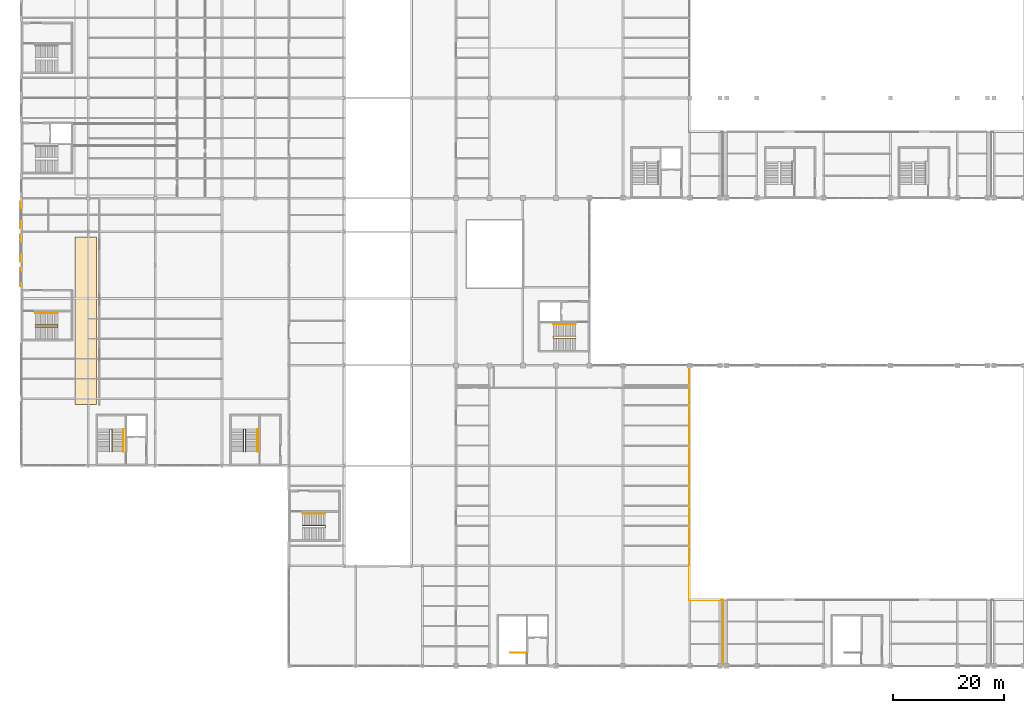
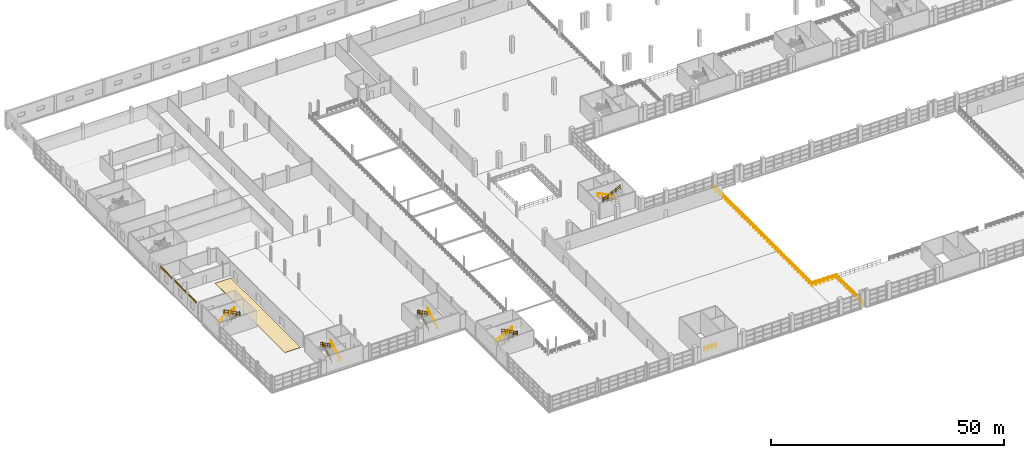
# One storey, part 153 of 158: 12 railings, 4 coverings.
"""IFC4 building model written with IfcOpenShell, lengths in metres."""

from ifc_helpers import new_model, si_unit, direction, frame, origin, origin_2d, place, context, subcontext, project, spatial, polyline, rectangle, circle, outline, extrude, material, layer, layer_set, type_object, element, save


model = new_model("IFC4")

# Units and contexts
model_context = context("Model", 3, precision=1e-05, world=origin(), true_north=direction((0.0, 1.0)))
body_context = subcontext(model_context, "Body", "Model", "MODEL_VIEW")
ifc_project = project(units=[si_unit("LENGTHUNIT", "METRE"), si_unit("AREAUNIT", "SQUARE_METRE"), si_unit("VOLUMEUNIT", "CUBIC_METRE"), si_unit("PLANEANGLEUNIT", "RADIAN"), si_unit("MASSUNIT", "GRAM", prefix="KILO")], contexts=[model_context])

# Site, building, storey
site_placement = place(None, origin())
site = spatial("IfcSite", under=ifc_project, at=site_placement, CompositionType="ELEMENT")
building_placement = place(site_placement, origin())
building = spatial("IfcBuilding", under=site, at=building_placement, Name="Zilviju Railside Exhibition Hall", CompositionType="ELEMENT")
storey_placement = place(building_placement, frame((0.0, 0.0, 4.199951171875)))
storey = spatial("IfcBuildingStorey", under=building, at=storey_placement, Name="L02", CompositionType="ELEMENT", Elevation=4.199951171875)

# Coverings
ifc_material_1 = material(Name="Cobalt-blue and emerald glazed Jugendstils majolica frieze cladding", Category="masonry")
ifc_layer_1 = layer(ifc_material_1, 0.034912109375)
ifc_layer_set_1 = layer_set([ifc_layer_1], Name="Cobalt-blue and emerald glazed Jugendstils majolica frieze cladding")
covering_type_1 = type_object("IfcCoveringType", Name="COV-CLAD-MAJOLICA", PredefinedType="CLADDING", material=ifc_layer_set_1)
covering_1_placement = place(storey_placement, frame((-0.202392578125, 69.800048828125, 3.52490234375), z_axis=(0.0, 0.0, 1.0), x_axis=(0.0, 1.0, 0.0)))
element("IfcCovering", 1, at=covering_1_placement, inside=storey, type_object=covering_type_1, Name="Jugendstils Facade Cladding Band L02 026", PredefinedType="CLADDING", context=body_context, shape_type="SweptSolid", body=[
    extrude(rectangle(XDim=3.199951171875, YDim=0.034912109375, at=origin_2d()), origin(), (0.0, 0.0, 1.0), 0.550048828125),
])
for number, where, z_axis, x_axis, name in (
    (2, (-0.202392578125, 75.0, 3.52490234375), (0.0, 0.0, 1.0), (0.0, 1.0, 0.0), "Jugendstils Facade Cladding Band L02 027"),
    (3, (-0.202392578125, 81.0, 3.52490234375), (0.0, 0.0, 1.0), (0.0, 1.0, 0.0), "Jugendstils Facade Cladding Band L02 028"),
):
    element("IfcCovering", number, at=place(storey_placement, frame(where, z_axis=z_axis, x_axis=x_axis)), inside=storey, type_object=covering_type_1, Name=name, PredefinedType="CLADDING", context=body_context, shape_type="SweptSolid", body=[
        extrude(rectangle(XDim=4.800048828125, YDim=0.034912109375, at=origin_2d()), origin(), (0.0, 0.0, 1.0), 0.550048828125),
    ])
ifc_material_2 = material(Name="Polished Baltic terrazzo concourse flooring", Category="masonry")
ifc_layer_2 = layer(ifc_material_2, 0.02490234375)
ifc_layer_set_2 = layer_set([ifc_layer_2], Name="Polished Baltic terrazzo concourse flooring")
covering_type_2 = type_object("IfcCoveringType", Name="COV-FLR-TERRAZZO", PredefinedType="FLOORING", material=ifc_layer_set_2)
covering_2_placement = place(storey_placement, origin())
element("IfcCovering", 4, at=covering_2_placement, inside=storey, type_object=covering_type_2, Name="Congress Crush Foyer Terrazzo Flooring", PredefinedType="FLOORING", context=body_context, shape_type="SweptSolid", body=[
    extrude(outline(polyline([(9.60009765625, 47.0), (13.5, 47.0), (13.5, 77.0), (9.60009765625, 77.0), (9.60009765625, 47.0)])), origin(), (0.0, 0.0, 1.0), 0.025146484375),
])

# Railings
ifc_material_3 = material(Name="Brushed bronze tubular stair handrail", Category="steel")
railing_type_1 = type_object("IfcRailingType", Name="RL-HANDRAIL-920", PredefinedType="HANDRAIL", material=ifc_material_3)
railing_1_placement = place(storey_placement, frame((99.5, 61.360107421875, 0.0)))
element("IfcRailing", 5, at=railing_1_placement, inside=storey, type_object=railing_type_1, Name="Core C10 Winter Concourse Court Stair Wall Handrail L02", PredefinedType="HANDRAIL", context=body_context, shape_type="SweptSolid", body=[
    extrude(circle(Radius=0.02392578125, at=origin_2d()), frame((-0.019287109375, 0.0, 0.906005859375), z_axis=(-0.88681272381, 0.0, 0.462128978628), x_axis=(0.0, -1.0, 0.0)), (0.0, 0.0, 1.0), 4.500732421875),
    extrude(circle(Radius=0.02099609375, at=origin_2d()), origin(), (0.0, 0.0, 1.0), 0.919921875),
    extrude(circle(Radius=0.02099609375, at=origin_2d()), frame((-1.007568359375, 0.0, 0.52490234375)), (0.0, 0.0, 1.0), 0.919921875),
    extrude(circle(Radius=0.02099609375, at=origin_2d()), frame((-2.01513671875, 0.0, 1.050048828125)), (0.0, 0.0, 1.0), 0.919921875),
    extrude(circle(Radius=0.02099609375, at=origin_2d()), frame((-3.0224609375, 0.0, 1.5751953125)), (0.0, 0.0, 1.0), 0.919921875),
    extrude(circle(Radius=0.02099609375, at=origin_2d()), frame((-4.030029296875, 0.0, 2.10009765625)), (0.0, 0.0, 1.0), 0.919921875),
])
railing_2_placement = place(storey_placement, frame((50.5, 27.35009765625, 0.0)))
element("IfcRailing", 6, at=railing_2_placement, inside=storey, type_object=railing_type_1, Name="Core C11 Winter Concourse Forecourt Stair Wall Handrail L02", PredefinedType="HANDRAIL", context=body_context, shape_type="SweptSolid", body=[
    extrude(circle(Radius=0.02392578125, at=origin_2d()), frame((0.019287109375, 0.0, 0.906005859375), z_axis=(0.88681272381, 0.0, 0.462128978628), x_axis=(0.0, 1.0, 0.0)), (0.0, 0.0, 1.0), 4.500732421875),
    extrude(circle(Radius=0.02099609375, at=origin_2d()), origin(), (0.0, 0.0, 1.0), 0.919921875),
    extrude(circle(Radius=0.02099609375, at=origin_2d()), frame((1.007568359375, 0.0, 0.52490234375)), (0.0, 0.0, 1.0), 0.919921875),
    extrude(circle(Radius=0.02099609375, at=origin_2d()), frame((2.01513671875, 0.0, 1.050048828125)), (0.0, 0.0, 1.0), 0.919921875),
    extrude(circle(Radius=0.02099609375, at=origin_2d()), frame((3.0224609375, 0.0, 1.5751953125)), (0.0, 0.0, 1.0), 0.919921875),
    extrude(circle(Radius=0.02099609375, at=origin_2d()), frame((4.030029296875, 0.0, 2.10009765625)), (0.0, 0.0, 1.0), 0.919921875),
])
for number, where, name in (
    (7, (18.340087890625, 38.5, 0.0), "Core C12 Congress Plenary SouthW Stair Wall Handrail L02"),
    (8, (42.360107421875, 38.5, 0.0), "Core C13 Congress Plenary SouthE Stair Wall Handrail L02"),
):
    element("IfcRailing", number, at=place(storey_placement, frame(where)), inside=storey, type_object=railing_type_1, Name=name, PredefinedType="HANDRAIL", context=body_context, shape_type="SweptSolid", body=[
        extrude(circle(Radius=0.02392578125, at=origin_2d()), frame((0.0, 0.019287109375, 0.906005859375), z_axis=(0.0, 0.88681272381, 0.462128978628), x_axis=(-1.0, 0.0, 0.0)), (0.0, 0.0, 1.0), 4.500732421875),
        extrude(circle(Radius=0.02099609375, at=origin_2d()), origin(), (0.0, 0.0, 1.0), 0.919921875),
        extrude(circle(Radius=0.02099609375, at=origin_2d()), frame((0.0, 1.007568359375, 0.52490234375)), (0.0, 0.0, 1.0), 0.919921875),
        extrude(circle(Radius=0.02099609375, at=origin_2d()), frame((0.0, 2.01513671875, 1.050048828125)), (0.0, 0.0, 1.0), 0.919921875),
        extrude(circle(Radius=0.02099609375, at=origin_2d()), frame((0.0, 3.0224609375, 1.5751953125)), (0.0, 0.0, 1.0), 0.919921875),
        extrude(circle(Radius=0.02099609375, at=origin_2d()), frame((0.0, 4.030029296875, 2.10009765625)), (0.0, 0.0, 1.0), 0.919921875),
    ])
railing_3_placement = place(storey_placement, frame((2.5, 63.35009765625, 0.0)))
element("IfcRailing", 9, at=railing_3_placement, inside=storey, type_object=railing_type_1, Name="Core C14 Congress Plenary West Stair Wall Handrail L02", PredefinedType="HANDRAIL", context=body_context, shape_type="SweptSolid", body=[
    extrude(circle(Radius=0.02392578125, at=origin_2d()), frame((0.019287109375, 0.0, 0.906005859375), z_axis=(0.88681272381, 0.0, 0.462128978628), x_axis=(0.0, 1.0, 0.0)), (0.0, 0.0, 1.0), 4.500732421875),
    extrude(circle(Radius=0.02099609375, at=origin_2d()), origin(), (0.0, 0.0, 1.0), 0.919921875),
    extrude(circle(Radius=0.02099609375, at=origin_2d()), frame((1.007568359375, 0.0, 0.52490234375)), (0.0, 0.0, 1.0), 0.919921875),
    extrude(circle(Radius=0.02099609375, at=origin_2d()), frame((2.01513671875, 0.0, 1.050048828125)), (0.0, 0.0, 1.0), 0.919921875),
    extrude(circle(Radius=0.02099609375, at=origin_2d()), frame((3.0224609375, 0.0, 1.5751953125)), (0.0, 0.0, 1.0), 0.919921875),
    extrude(circle(Radius=0.02099609375, at=origin_2d()), frame((4.030029296875, 0.0, 2.10009765625)), (0.0, 0.0, 1.0), 0.919921875),
])
ifc_material_4 = material(Name="Wrought-iron and laminated-glass atrium guardrail", Category="glass")
railing_type_2 = type_object("IfcRailingType", Name="RL-INT-GUARD-1120", PredefinedType="GUARDRAIL", material=ifc_material_4)
railing_4_placement = place(storey_placement, frame((87.800048828125, 2.419921875, 0.0)))
element("IfcRailing", 10, at=railing_4_placement, inside=storey, type_object=railing_type_2, Name="Core C01 South Hall West Top-Landing Well Guardrail L02", PredefinedType="GUARDRAIL", context=body_context, shape_type="SweptSolid", body=[
    extrude(circle(Radius=0.02392578125, at=origin_2d()), frame((0.021728515625, 0.0, 1.09619140625), z_axis=(1.0, 0.0, 0.0), x_axis=(0.0, 1.0, 0.0)), (0.0, 0.0, 1.0), 2.80615234375),
    extrude(circle(Radius=0.02392578125, at=origin_2d()), frame((0.021728515625, 0.0, 0.56005859375), z_axis=(1.0, 0.0, 0.0), x_axis=(0.0, 1.0, 0.0)), (0.0, 0.0, 1.0), 2.80615234375),
    extrude(circle(Radius=0.02099609375, at=origin_2d()), origin(), (0.0, 0.0, 1.0), 1.1201171875),
    extrude(circle(Radius=0.02099609375, at=origin_2d()), frame((0.949951171875, 0.0, 0.0)), (0.0, 0.0, 1.0), 1.1201171875),
    extrude(circle(Radius=0.02099609375, at=origin_2d()), frame((1.89990234375, 0.0, 0.0)), (0.0, 0.0, 1.0), 1.1201171875),
    extrude(circle(Radius=0.02099609375, at=origin_2d()), frame((2.849853515625, 0.0, 0.0)), (0.0, 0.0, 1.0), 1.1201171875),
])
railing_5_placement = place(storey_placement, frame((99.5, 59.22998046875, 0.0)))
element("IfcRailing", 11, at=railing_5_placement, inside=storey, type_object=railing_type_2, Name="Core C10 Winter Concourse Court Stair Well Guardrail L02", PredefinedType="GUARDRAIL", context=body_context, shape_type="SweptSolid", body=[
    extrude(circle(Radius=0.02392578125, at=origin_2d()), frame((-0.019287109375, 0.0, 1.106201171875), z_axis=(-0.88681272381, 0.0, 0.462128978628), x_axis=(0.0, -1.0, 0.0)), (0.0, 0.0, 1.0), 4.500732421875),
    extrude(circle(Radius=0.02392578125, at=origin_2d()), frame((-0.019287109375, 0.0, 0.570068359375), z_axis=(-0.88681272381, 0.0, 0.462128978628), x_axis=(0.0, -1.0, 0.0)), (0.0, 0.0, 1.0), 4.500732421875),
    extrude(circle(Radius=0.02392578125, at=origin_2d()), frame((-4.030029296875, -0.021728515625, 3.1962890625), z_axis=(0.0, -1.0, 0.0), x_axis=(1.0, 0.0, 0.0)), (0.0, 0.0, 1.0), 0.316162109375),
    extrude(circle(Radius=0.02392578125, at=origin_2d()), frame((-4.030029296875, -0.021728515625, 2.66015625), z_axis=(0.0, -1.0, 0.0), x_axis=(1.0, 0.0, 0.0)), (0.0, 0.0, 1.0), 0.316162109375),
    extrude(circle(Radius=0.02392578125, at=origin_2d()), frame((-4.0107421875, -0.35986328125, 3.206298828125), z_axis=(0.886834740388, 0.0, 0.462086726969), x_axis=(0.0, 1.0, 0.0)), (0.0, 0.0, 1.0), 4.500732421875),
    extrude(circle(Radius=0.02392578125, at=origin_2d()), frame((-4.0107421875, -0.35986328125, 2.670166015625), z_axis=(0.886834740388, 0.0, 0.462086726969), x_axis=(0.0, 1.0, 0.0)), (0.0, 0.0, 1.0), 4.500732421875),
    extrude(circle(Radius=0.02099609375, at=origin_2d()), origin(), (0.0, 0.0, 1.0), 1.1201171875),
    extrude(circle(Radius=0.02099609375, at=origin_2d()), frame((-1.007568359375, 0.0, 0.52490234375)), (0.0, 0.0, 1.0), 1.1201171875),
    extrude(circle(Radius=0.02099609375, at=origin_2d()), frame((-2.01513671875, 0.0, 1.050048828125)), (0.0, 0.0, 1.0), 1.1201171875),
    extrude(circle(Radius=0.02099609375, at=origin_2d()), frame((-3.0224609375, 0.0, 1.5751953125)), (0.0, 0.0, 1.0), 1.1201171875),
    extrude(circle(Radius=0.02099609375, at=origin_2d()), frame((-4.030029296875, 0.0, 2.10009765625)), (0.0, 0.0, 1.0), 1.1201171875),
    extrude(circle(Radius=0.02099609375, at=origin_2d()), frame((-4.030029296875, -0.35986328125, 2.10009765625)), (0.0, 0.0, 1.0), 1.1201171875),
    extrude(circle(Radius=0.02099609375, at=origin_2d()), frame((-3.0224609375, -0.35986328125, 2.625)), (0.0, 0.0, 1.0), 1.1201171875),
    extrude(circle(Radius=0.02099609375, at=origin_2d()), frame((-2.01513671875, -0.35986328125, 3.14990234375)), (0.0, 0.0, 1.0), 1.1201171875),
    extrude(circle(Radius=0.02099609375, at=origin_2d()), frame((-1.007568359375, -0.35986328125, 3.675048828125)), (0.0, 0.0, 1.0), 1.1201171875),
    extrude(circle(Radius=0.02099609375, at=origin_2d()), frame((0.0, -0.35986328125, 4.199951171875)), (0.0, 0.0, 1.0), 1.1201171875),
])
railing_6_placement = place(storey_placement, frame((50.5, 25.239990234375, 0.0)))
element("IfcRailing", 12, at=railing_6_placement, inside=storey, type_object=railing_type_2, Name="Core C11 Winter Concourse Forecourt Stair Well Guardrail L02", PredefinedType="GUARDRAIL", context=body_context, shape_type="SweptSolid", body=[
    extrude(circle(Radius=0.02392578125, at=origin_2d()), frame((0.019287109375, 0.0, 1.106201171875), z_axis=(0.88681272381, 0.0, 0.462128978628), x_axis=(0.0, 1.0, 0.0)), (0.0, 0.0, 1.0), 4.500732421875),
    extrude(circle(Radius=0.02392578125, at=origin_2d()), frame((0.019287109375, 0.0, 0.570068359375), z_axis=(0.88681272381, 0.0, 0.462128978628), x_axis=(0.0, 1.0, 0.0)), (0.0, 0.0, 1.0), 4.500732421875),
    extrude(circle(Radius=0.02392578125, at=origin_2d()), frame((4.030029296875, -0.021728515625, 3.1962890625), z_axis=(0.0, -1.0, 0.0), x_axis=(1.0, 0.0, 0.0)), (0.0, 0.0, 1.0), 0.336181640625),
    extrude(circle(Radius=0.02392578125, at=origin_2d()), frame((4.030029296875, -0.021728515625, 2.66015625), z_axis=(0.0, -1.0, 0.0), x_axis=(1.0, 0.0, 0.0)), (0.0, 0.0, 1.0), 0.336181640625),
    extrude(circle(Radius=0.02392578125, at=origin_2d()), frame((4.0107421875, -0.3798828125, 3.206298828125), z_axis=(-0.886834740388, 0.0, 0.462086726969), x_axis=(0.0, -1.0, 0.0)), (0.0, 0.0, 1.0), 4.500732421875),
    extrude(circle(Radius=0.02392578125, at=origin_2d()), frame((4.0107421875, -0.3798828125, 2.670166015625), z_axis=(-0.886834740388, 0.0, 0.462086726969), x_axis=(0.0, -1.0, 0.0)), (0.0, 0.0, 1.0), 4.500732421875),
    extrude(circle(Radius=0.02099609375, at=origin_2d()), origin(), (0.0, 0.0, 1.0), 1.1201171875),
    extrude(circle(Radius=0.02099609375, at=origin_2d()), frame((1.007568359375, 0.0, 0.52490234375)), (0.0, 0.0, 1.0), 1.1201171875),
    extrude(circle(Radius=0.02099609375, at=origin_2d()), frame((2.01513671875, 0.0, 1.050048828125)), (0.0, 0.0, 1.0), 1.1201171875),
    extrude(circle(Radius=0.02099609375, at=origin_2d()), frame((3.0224609375, 0.0, 1.5751953125)), (0.0, 0.0, 1.0), 1.1201171875),
    extrude(circle(Radius=0.02099609375, at=origin_2d()), frame((4.030029296875, 0.0, 2.10009765625)), (0.0, 0.0, 1.0), 1.1201171875),
    extrude(circle(Radius=0.02099609375, at=origin_2d()), frame((4.030029296875, -0.3798828125, 2.10009765625)), (0.0, 0.0, 1.0), 1.1201171875),
    extrude(circle(Radius=0.02099609375, at=origin_2d()), frame((3.0224609375, -0.3798828125, 2.625)), (0.0, 0.0, 1.0), 1.1201171875),
    extrude(circle(Radius=0.02099609375, at=origin_2d()), frame((2.01513671875, -0.3798828125, 3.14990234375)), (0.0, 0.0, 1.0), 1.1201171875),
    extrude(circle(Radius=0.02099609375, at=origin_2d()), frame((1.007568359375, -0.3798828125, 3.675048828125)), (0.0, 0.0, 1.0), 1.1201171875),
    extrude(circle(Radius=0.02099609375, at=origin_2d()), frame((0.0, -0.3798828125, 4.199951171875)), (0.0, 0.0, 1.0), 1.1201171875),
])
railing_7_placement = place(storey_placement, frame((16.25, 38.5, 0.0)))
element("IfcRailing", 13, at=railing_7_placement, inside=storey, type_object=railing_type_2, Name="Core C12 Congress Plenary SouthW Stair Well Guardrail L02", PredefinedType="GUARDRAIL", context=body_context, shape_type="SweptSolid", body=[
    extrude(circle(Radius=0.02392578125, at=origin_2d()), frame((0.0, 0.019287109375, 1.106201171875), z_axis=(0.0, 0.88681272381, 0.462128978628), x_axis=(-1.0, 0.0, 0.0)), (0.0, 0.0, 1.0), 4.500732421875),
    extrude(circle(Radius=0.02392578125, at=origin_2d()), frame((0.0, 0.019287109375, 0.570068359375), z_axis=(0.0, 0.88681272381, 0.462128978628), x_axis=(-1.0, 0.0, 0.0)), (0.0, 0.0, 1.0), 4.500732421875),
    extrude(circle(Radius=0.02392578125, at=origin_2d()), frame((-0.021728515625, 4.030029296875, 3.1962890625), z_axis=(-1.0, 0.0, 0.0), x_axis=(0.0, -1.0, 0.0)), (0.0, 0.0, 1.0), 0.356201171875),
    extrude(circle(Radius=0.02392578125, at=origin_2d()), frame((-0.021728515625, 4.030029296875, 2.66015625), z_axis=(-1.0, 0.0, 0.0), x_axis=(0.0, -1.0, 0.0)), (0.0, 0.0, 1.0), 0.356201171875),
    extrude(circle(Radius=0.02392578125, at=origin_2d()), frame((-0.39990234375, 4.0107421875, 3.206298828125), z_axis=(0.0, -0.886834740388, 0.462086726969), x_axis=(1.0, 0.0, 0.0)), (0.0, 0.0, 1.0), 4.500732421875),
    extrude(circle(Radius=0.02392578125, at=origin_2d()), frame((-0.39990234375, 4.0107421875, 2.670166015625), z_axis=(0.0, -0.886834740388, 0.462086726969), x_axis=(1.0, 0.0, 0.0)), (0.0, 0.0, 1.0), 4.500732421875),
    extrude(circle(Radius=0.02099609375, at=origin_2d()), origin(), (0.0, 0.0, 1.0), 1.1201171875),
    extrude(circle(Radius=0.02099609375, at=origin_2d()), frame((0.0, 1.007568359375, 0.52490234375)), (0.0, 0.0, 1.0), 1.1201171875),
    extrude(circle(Radius=0.02099609375, at=origin_2d()), frame((0.0, 2.01513671875, 1.050048828125)), (0.0, 0.0, 1.0), 1.1201171875),
    extrude(circle(Radius=0.02099609375, at=origin_2d()), frame((0.0, 3.0224609375, 1.5751953125)), (0.0, 0.0, 1.0), 1.1201171875),
    extrude(circle(Radius=0.02099609375, at=origin_2d()), frame((0.0, 4.030029296875, 2.10009765625)), (0.0, 0.0, 1.0), 1.1201171875),
    extrude(circle(Radius=0.02099609375, at=origin_2d()), frame((-0.39990234375, 4.030029296875, 2.10009765625)), (0.0, 0.0, 1.0), 1.1201171875),
    extrude(circle(Radius=0.02099609375, at=origin_2d()), frame((-0.39990234375, 3.0224609375, 2.625)), (0.0, 0.0, 1.0), 1.1201171875),
    extrude(circle(Radius=0.02099609375, at=origin_2d()), frame((-0.39990234375, 2.01513671875, 3.14990234375)), (0.0, 0.0, 1.0), 1.1201171875),
    extrude(circle(Radius=0.02099609375, at=origin_2d()), frame((-0.39990234375, 1.007568359375, 3.675048828125)), (0.0, 0.0, 1.0), 1.1201171875),
    extrude(circle(Radius=0.02099609375, at=origin_2d()), frame((-0.39990234375, 0.0, 4.199951171875)), (0.0, 0.0, 1.0), 1.1201171875),
])
railing_8_placement = place(storey_placement, frame((40.22998046875, 38.5, 0.0)))
element("IfcRailing", 14, at=railing_8_placement, inside=storey, type_object=railing_type_2, Name="Core C13 Congress Plenary SouthE Stair Well Guardrail L02", PredefinedType="GUARDRAIL", context=body_context, shape_type="SweptSolid", body=[
    extrude(circle(Radius=0.02392578125, at=origin_2d()), frame((0.0, 0.019287109375, 1.106201171875), z_axis=(0.0, 0.88681272381, 0.462128978628), x_axis=(-1.0, 0.0, 0.0)), (0.0, 0.0, 1.0), 4.500732421875),
    extrude(circle(Radius=0.02392578125, at=origin_2d()), frame((0.0, 0.019287109375, 0.570068359375), z_axis=(0.0, 0.88681272381, 0.462128978628), x_axis=(-1.0, 0.0, 0.0)), (0.0, 0.0, 1.0), 4.500732421875),
    extrude(circle(Radius=0.02392578125, at=origin_2d()), frame((-0.021728515625, 4.030029296875, 3.1962890625), z_axis=(-1.0, 0.0, 0.0), x_axis=(0.0, -1.0, 0.0)), (0.0, 0.0, 1.0), 0.316162109375),
    extrude(circle(Radius=0.02392578125, at=origin_2d()), frame((-0.021728515625, 4.030029296875, 2.66015625), z_axis=(-1.0, 0.0, 0.0), x_axis=(0.0, -1.0, 0.0)), (0.0, 0.0, 1.0), 0.316162109375),
    extrude(circle(Radius=0.02392578125, at=origin_2d()), frame((-0.35986328125, 4.0107421875, 3.206298828125), z_axis=(0.0, -0.886834740388, 0.462086726969), x_axis=(1.0, 0.0, 0.0)), (0.0, 0.0, 1.0), 4.500732421875),
    extrude(circle(Radius=0.02392578125, at=origin_2d()), frame((-0.35986328125, 4.0107421875, 2.670166015625), z_axis=(0.0, -0.886834740388, 0.462086726969), x_axis=(1.0, 0.0, 0.0)), (0.0, 0.0, 1.0), 4.500732421875),
    extrude(circle(Radius=0.02099609375, at=origin_2d()), origin(), (0.0, 0.0, 1.0), 1.1201171875),
    extrude(circle(Radius=0.02099609375, at=origin_2d()), frame((0.0, 1.007568359375, 0.52490234375)), (0.0, 0.0, 1.0), 1.1201171875),
    extrude(circle(Radius=0.02099609375, at=origin_2d()), frame((0.0, 2.01513671875, 1.050048828125)), (0.0, 0.0, 1.0), 1.1201171875),
    extrude(circle(Radius=0.02099609375, at=origin_2d()), frame((0.0, 3.0224609375, 1.5751953125)), (0.0, 0.0, 1.0), 1.1201171875),
    extrude(circle(Radius=0.02099609375, at=origin_2d()), frame((0.0, 4.030029296875, 2.10009765625)), (0.0, 0.0, 1.0), 1.1201171875),
    extrude(circle(Radius=0.02099609375, at=origin_2d()), frame((-0.35986328125, 4.030029296875, 2.10009765625)), (0.0, 0.0, 1.0), 1.1201171875),
    extrude(circle(Radius=0.02099609375, at=origin_2d()), frame((-0.35986328125, 3.0224609375, 2.625)), (0.0, 0.0, 1.0), 1.1201171875),
    extrude(circle(Radius=0.02099609375, at=origin_2d()), frame((-0.35986328125, 2.01513671875, 3.14990234375)), (0.0, 0.0, 1.0), 1.1201171875),
    extrude(circle(Radius=0.02099609375, at=origin_2d()), frame((-0.35986328125, 1.007568359375, 3.675048828125)), (0.0, 0.0, 1.0), 1.1201171875),
    extrude(circle(Radius=0.02099609375, at=origin_2d()), frame((-0.35986328125, 0.0, 4.199951171875)), (0.0, 0.0, 1.0), 1.1201171875),
])
railing_9_placement = place(storey_placement, frame((2.5, 61.239990234375, 0.0)))
element("IfcRailing", 15, at=railing_9_placement, inside=storey, type_object=railing_type_2, Name="Core C14 Congress Plenary West Stair Well Guardrail L02", PredefinedType="GUARDRAIL", context=body_context, shape_type="SweptSolid", body=[
    extrude(circle(Radius=0.02392578125, at=origin_2d()), frame((0.019287109375, 0.0, 1.106201171875), z_axis=(0.88681272381, 0.0, 0.462128978628), x_axis=(0.0, 1.0, 0.0)), (0.0, 0.0, 1.0), 4.500732421875),
    extrude(circle(Radius=0.02392578125, at=origin_2d()), frame((0.019287109375, 0.0, 0.570068359375), z_axis=(0.88681272381, 0.0, 0.462128978628), x_axis=(0.0, 1.0, 0.0)), (0.0, 0.0, 1.0), 4.500732421875),
    extrude(circle(Radius=0.02392578125, at=origin_2d()), frame((4.030029296875, -0.021728515625, 3.1962890625), z_axis=(0.0, -1.0, 0.0), x_axis=(1.0, 0.0, 0.0)), (0.0, 0.0, 1.0), 0.336181640625),
    extrude(circle(Radius=0.02392578125, at=origin_2d()), frame((4.030029296875, -0.021728515625, 2.66015625), z_axis=(0.0, -1.0, 0.0), x_axis=(1.0, 0.0, 0.0)), (0.0, 0.0, 1.0), 0.336181640625),
    extrude(circle(Radius=0.02392578125, at=origin_2d()), frame((4.0107421875, -0.3798828125, 3.206298828125), z_axis=(-0.886834740388, 0.0, 0.462086726969), x_axis=(0.0, -1.0, 0.0)), (0.0, 0.0, 1.0), 4.500732421875),
    extrude(circle(Radius=0.02392578125, at=origin_2d()), frame((4.0107421875, -0.3798828125, 2.670166015625), z_axis=(-0.886834740388, 0.0, 0.462086726969), x_axis=(0.0, -1.0, 0.0)), (0.0, 0.0, 1.0), 4.500732421875),
    extrude(circle(Radius=0.02099609375, at=origin_2d()), origin(), (0.0, 0.0, 1.0), 1.1201171875),
    extrude(circle(Radius=0.02099609375, at=origin_2d()), frame((1.007568359375, 0.0, 0.52490234375)), (0.0, 0.0, 1.0), 1.1201171875),
    extrude(circle(Radius=0.02099609375, at=origin_2d()), frame((2.01513671875, 0.0, 1.050048828125)), (0.0, 0.0, 1.0), 1.1201171875),
    extrude(circle(Radius=0.02099609375, at=origin_2d()), frame((3.0224609375, 0.0, 1.5751953125)), (0.0, 0.0, 1.0), 1.1201171875),
    extrude(circle(Radius=0.02099609375, at=origin_2d()), frame((4.030029296875, 0.0, 2.10009765625)), (0.0, 0.0, 1.0), 1.1201171875),
    extrude(circle(Radius=0.02099609375, at=origin_2d()), frame((4.030029296875, -0.3798828125, 2.10009765625)), (0.0, 0.0, 1.0), 1.1201171875),
    extrude(circle(Radius=0.02099609375, at=origin_2d()), frame((3.0224609375, -0.3798828125, 2.625)), (0.0, 0.0, 1.0), 1.1201171875),
    extrude(circle(Radius=0.02099609375, at=origin_2d()), frame((2.01513671875, -0.3798828125, 3.14990234375)), (0.0, 0.0, 1.0), 1.1201171875),
    extrude(circle(Radius=0.02099609375, at=origin_2d()), frame((1.007568359375, -0.3798828125, 3.675048828125)), (0.0, 0.0, 1.0), 1.1201171875),
    extrude(circle(Radius=0.02099609375, at=origin_2d()), frame((0.0, -0.3798828125, 4.199951171875)), (0.0, 0.0, 1.0), 1.1201171875),
])
railing_10_placement = place(storey_placement, frame((119.8798828125, 53.85009765625, 0.0)))
element("IfcRailing", 16, at=railing_10_placement, inside=storey, type_object=railing_type_2, Name="Interior Atrium & Gallery Guardrail V1-W-GAL", PredefinedType="GUARDRAIL", context=body_context, shape_type="SweptSolid", body=[
    extrude(circle(Radius=0.02392578125, at=origin_2d()), frame((0.0, -0.021728515625, 1.09619140625), z_axis=(0.0, -1.0, 0.0), x_axis=(1.0, 0.0, 0.0)), (0.0, 0.0, 1.0), 41.926513671875),
    extrude(circle(Radius=0.02392578125, at=origin_2d()), frame((0.0, -0.021728515625, 0.56005859375), z_axis=(0.0, -1.0, 0.0), x_axis=(1.0, 0.0, 0.0)), (0.0, 0.0, 1.0), 41.926513671875),
    extrude(circle(Radius=0.02392578125, at=origin_2d()), frame((0.021728515625, -41.97021484375, 1.09619140625), z_axis=(1.0, 0.0, 0.0), x_axis=(0.0, 1.0, 0.0)), (0.0, 0.0, 1.0), 5.996337890625),
    extrude(circle(Radius=0.02392578125, at=origin_2d()), frame((0.021728515625, -41.97021484375, 0.56005859375), z_axis=(1.0, 0.0, 0.0), x_axis=(0.0, 1.0, 0.0)), (0.0, 0.0, 1.0), 5.996337890625),
    extrude(circle(Radius=0.02392578125, at=origin_2d()), frame((6.0400390625, -41.991943359375, 1.09619140625), z_axis=(0.0, -1.0, 0.0), x_axis=(1.0, 0.0, 0.0)), (0.0, 0.0, 1.0), 11.586181640625),
    extrude(circle(Radius=0.02392578125, at=origin_2d()), frame((6.0400390625, -41.991943359375, 0.56005859375), z_axis=(0.0, -1.0, 0.0), x_axis=(1.0, 0.0, 0.0)), (0.0, 0.0, 1.0), 11.586181640625),
    extrude(circle(Radius=0.02099609375, at=origin_2d()), origin(), (0.0, 0.0, 1.0), 1.1201171875),
    extrude(circle(Radius=0.02099609375, at=origin_2d()), frame((0.0, -1.19921875, 0.0)), (0.0, 0.0, 1.0), 1.1201171875),
    extrude(circle(Radius=0.02099609375, at=origin_2d()), frame((0.0, -2.398193359375, 0.0)), (0.0, 0.0, 1.0), 1.1201171875),
    extrude(circle(Radius=0.02099609375, at=origin_2d()), frame((0.0, -3.597412109375, 0.0)), (0.0, 0.0, 1.0), 1.1201171875),
    extrude(circle(Radius=0.02099609375, at=origin_2d()), frame((0.0, -4.796630859375, 0.0)), (0.0, 0.0, 1.0), 1.1201171875),
    extrude(circle(Radius=0.02099609375, at=origin_2d()), frame((0.0, -5.995849609375, 0.0)), (0.0, 0.0, 1.0), 1.1201171875),
    extrude(circle(Radius=0.02099609375, at=origin_2d()), frame((0.0, -7.19482421875, 0.0)), (0.0, 0.0, 1.0), 1.1201171875),
    extrude(circle(Radius=0.02099609375, at=origin_2d()), frame((0.0, -8.39404296875, 0.0)), (0.0, 0.0, 1.0), 1.1201171875),
    extrude(circle(Radius=0.02099609375, at=origin_2d()), frame((0.0, -9.59326171875, 0.0)), (0.0, 0.0, 1.0), 1.1201171875),
    extrude(circle(Radius=0.02099609375, at=origin_2d()), frame((0.0, -10.792236328125, 0.0)), (0.0, 0.0, 1.0), 1.1201171875),
    extrude(circle(Radius=0.02099609375, at=origin_2d()), frame((0.0, -11.991455078125, 0.0)), (0.0, 0.0, 1.0), 1.1201171875),
    extrude(circle(Radius=0.02099609375, at=origin_2d()), frame((0.0, -13.190673828125, 0.0)), (0.0, 0.0, 1.0), 1.1201171875),
    extrude(circle(Radius=0.02099609375, at=origin_2d()), frame((0.0, -14.389892578125, 0.0)), (0.0, 0.0, 1.0), 1.1201171875),
    extrude(circle(Radius=0.02099609375, at=origin_2d()), frame((0.0, -15.5888671875, 0.0)), (0.0, 0.0, 1.0), 1.1201171875),
    extrude(circle(Radius=0.02099609375, at=origin_2d()), frame((0.0, -16.7880859375, 0.0)), (0.0, 0.0, 1.0), 1.1201171875),
    extrude(circle(Radius=0.02099609375, at=origin_2d()), frame((0.0, -17.9873046875, 0.0)), (0.0, 0.0, 1.0), 1.1201171875),
    extrude(circle(Radius=0.02099609375, at=origin_2d()), frame((0.0, -19.186279296875, 0.0)), (0.0, 0.0, 1.0), 1.1201171875),
    extrude(circle(Radius=0.02099609375, at=origin_2d()), frame((0.0, -20.385498046875, 0.0)), (0.0, 0.0, 1.0), 1.1201171875),
    extrude(circle(Radius=0.02099609375, at=origin_2d()), frame((0.0, -21.584716796875, 0.0)), (0.0, 0.0, 1.0), 1.1201171875),
    extrude(circle(Radius=0.02099609375, at=origin_2d()), frame((0.0, -22.783935546875, 0.0)), (0.0, 0.0, 1.0), 1.1201171875),
    extrude(circle(Radius=0.02099609375, at=origin_2d()), frame((0.0, -23.98291015625, 0.0)), (0.0, 0.0, 1.0), 1.1201171875),
    extrude(circle(Radius=0.02099609375, at=origin_2d()), frame((0.0, -25.18212890625, 0.0)), (0.0, 0.0, 1.0), 1.1201171875),
    extrude(circle(Radius=0.02099609375, at=origin_2d()), frame((0.0, -26.38134765625, 0.0)), (0.0, 0.0, 1.0), 1.1201171875),
    extrude(circle(Radius=0.02099609375, at=origin_2d()), frame((0.0, -27.580322265625, 0.0)), (0.0, 0.0, 1.0), 1.1201171875),
    extrude(circle(Radius=0.02099609375, at=origin_2d()), frame((0.0, -28.779541015625, 0.0)), (0.0, 0.0, 1.0), 1.1201171875),
    extrude(circle(Radius=0.02099609375, at=origin_2d()), frame((0.0, -29.978759765625, 0.0)), (0.0, 0.0, 1.0), 1.1201171875),
    extrude(circle(Radius=0.02099609375, at=origin_2d()), frame((0.0, -31.177978515625, 0.0)), (0.0, 0.0, 1.0), 1.1201171875),
    extrude(circle(Radius=0.02099609375, at=origin_2d()), frame((0.0, -32.376953125, 0.0)), (0.0, 0.0, 1.0), 1.1201171875),
    extrude(circle(Radius=0.02099609375, at=origin_2d()), frame((0.0, -33.576171875, 0.0)), (0.0, 0.0, 1.0), 1.1201171875),
    extrude(circle(Radius=0.02099609375, at=origin_2d()), frame((0.0, -34.775390625, 0.0)), (0.0, 0.0, 1.0), 1.1201171875),
    extrude(circle(Radius=0.02099609375, at=origin_2d()), frame((0.0, -35.974365234375, 0.0)), (0.0, 0.0, 1.0), 1.1201171875),
    extrude(circle(Radius=0.02099609375, at=origin_2d()), frame((0.0, -37.173583984375, 0.0)), (0.0, 0.0, 1.0), 1.1201171875),
    extrude(circle(Radius=0.02099609375, at=origin_2d()), frame((0.0, -38.372802734375, 0.0)), (0.0, 0.0, 1.0), 1.1201171875),
    extrude(circle(Radius=0.02099609375, at=origin_2d()), frame((0.0, -39.572021484375, 0.0)), (0.0, 0.0, 1.0), 1.1201171875),
    extrude(circle(Radius=0.02099609375, at=origin_2d()), frame((0.0, -40.77099609375, 0.0)), (0.0, 0.0, 1.0), 1.1201171875),
    extrude(circle(Radius=0.02099609375, at=origin_2d()), frame((0.0, -41.97021484375, 0.0)), (0.0, 0.0, 1.0), 1.1201171875),
    extrude(circle(Radius=0.02099609375, at=origin_2d()), frame((1.006591796875, -41.97021484375, 0.0)), (0.0, 0.0, 1.0), 1.1201171875),
    extrude(circle(Radius=0.02099609375, at=origin_2d()), frame((2.013427734375, -41.97021484375, 0.0)), (0.0, 0.0, 1.0), 1.1201171875),
    extrude(circle(Radius=0.02099609375, at=origin_2d()), frame((3.02001953125, -41.97021484375, 0.0)), (0.0, 0.0, 1.0), 1.1201171875),
    extrude(circle(Radius=0.02099609375, at=origin_2d()), frame((4.026611328125, -41.97021484375, 0.0)), (0.0, 0.0, 1.0), 1.1201171875),
    extrude(circle(Radius=0.02099609375, at=origin_2d()), frame((5.033447265625, -41.97021484375, 0.0)), (0.0, 0.0, 1.0), 1.1201171875),
    extrude(circle(Radius=0.02099609375, at=origin_2d()), frame((6.0400390625, -41.97021484375, 0.0)), (0.0, 0.0, 1.0), 1.1201171875),
    extrude(circle(Radius=0.02099609375, at=origin_2d()), frame((6.0400390625, -43.13330078125, 0.0)), (0.0, 0.0, 1.0), 1.1201171875),
    extrude(circle(Radius=0.02099609375, at=origin_2d()), frame((6.0400390625, -44.296142578125, 0.0)), (0.0, 0.0, 1.0), 1.1201171875),
    extrude(circle(Radius=0.02099609375, at=origin_2d()), frame((6.0400390625, -45.459228515625, 0.0)), (0.0, 0.0, 1.0), 1.1201171875),
    extrude(circle(Radius=0.02099609375, at=origin_2d()), frame((6.0400390625, -46.6220703125, 0.0)), (0.0, 0.0, 1.0), 1.1201171875),
    extrude(circle(Radius=0.02099609375, at=origin_2d()), frame((6.0400390625, -47.78515625, 0.0)), (0.0, 0.0, 1.0), 1.1201171875),
    extrude(circle(Radius=0.02099609375, at=origin_2d()), frame((6.0400390625, -48.9482421875, 0.0)), (0.0, 0.0, 1.0), 1.1201171875),
    extrude(circle(Radius=0.02099609375, at=origin_2d()), frame((6.0400390625, -50.111083984375, 0.0)), (0.0, 0.0, 1.0), 1.1201171875),
    extrude(circle(Radius=0.02099609375, at=origin_2d()), frame((6.0400390625, -51.274169921875, 0.0)), (0.0, 0.0, 1.0), 1.1201171875),
    extrude(circle(Radius=0.02099609375, at=origin_2d()), frame((6.0400390625, -52.43701171875, 0.0)), (0.0, 0.0, 1.0), 1.1201171875),
    extrude(circle(Radius=0.02099609375, at=origin_2d()), frame((6.0400390625, -53.60009765625, 0.0)), (0.0, 0.0, 1.0), 1.1201171875),
])

save(model, "model.ifc")
